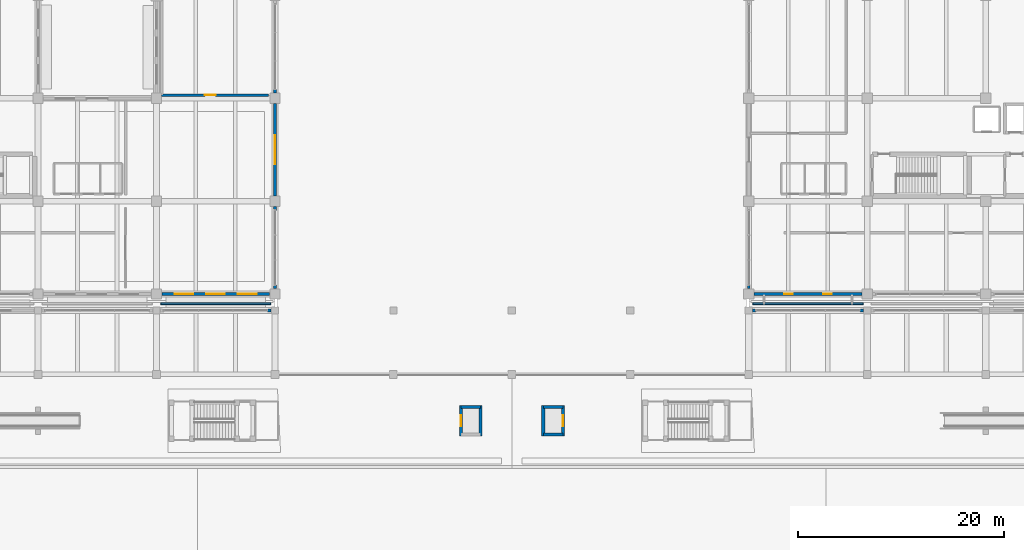
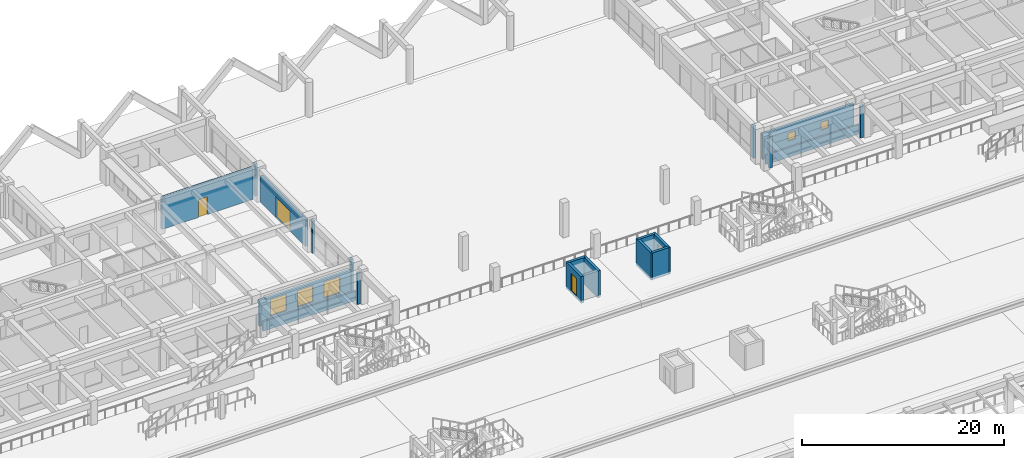
# One storey, part 86 of 109: 20 walls, 5 windows, 4 doors, 9 openings.
"""IFC4 building model written with IfcOpenShell, lengths in metres."""

from ifc_helpers import new_model, si_unit, direction, frame, frame_2d, origin, place, context, subcontext, project, spatial, rectangle, extrude, material, layer, layer_set, type_object, element, fill, save


model = new_model("IFC4")

# Units and contexts
model_context = context("Model", 3, precision=1e-05, world=origin(), true_north=direction((0.0, 1.0)))
body_context = subcontext(model_context, "Body", "Model", "MODEL_VIEW")
ifc_project = project(units=[si_unit("LENGTHUNIT", "METRE"), si_unit("AREAUNIT", "SQUARE_METRE"), si_unit("VOLUMEUNIT", "CUBIC_METRE"), si_unit("PLANEANGLEUNIT", "RADIAN"), si_unit("MASSUNIT", "GRAM", prefix="KILO")], contexts=[model_context])

# Site, building, storey
site_placement = place(None, origin())
site = spatial("IfcSite", under=ifc_project, at=site_placement, CompositionType="ELEMENT")
building_placement = place(site_placement, origin())
building = spatial("IfcBuilding", under=site, at=building_placement, Name="Ologun Quay Terminus", CompositionType="ELEMENT")
storey_placement = place(building_placement, origin())
storey = spatial("IfcBuildingStorey", under=building, at=storey_placement, Name="L00", CompositionType="ELEMENT", Elevation=0.0)

# Walls
ifc_material_1 = material(Name="Concrete C40/50", Category="concrete")
ifc_layer_1 = layer(ifc_material_1, 0.280029296875)
ifc_layer_set_1 = layer_set([ifc_layer_1], Name="Concrete C40/50")
wall_type_1 = type_object("IfcWallType", Name="Courtyard Wing Spandrel Concrete Wall 280", PredefinedType="SOLIDWALL", material=ifc_layer_set_1)
for number, where, z_axis, x_axis, name in (
    (1, (68.280029296875, 84.199951171875, 0.0), (0.0, 0.0, 1.0), (1.0, 0.0, 0.0), "Curtain Wall Jamb Pier CW-L00-085-J2"),
    (2, (115.3701171875, 84.199951171875, 0.0), (0.0, 0.0, 1.0), (1.0, 0.0, 0.0), "Curtain Wall Jamb Pier CW-L00-086-J1"),
    (3, (125.780029296875, 84.199951171875, 0.0), (0.0, 0.0, 1.0), (1.0, 0.0, 0.0), "Curtain Wall Jamb Pier CW-L00-086-J2"),
):
    element("IfcWall", number, at=place(storey_placement, frame(where, z_axis=z_axis, x_axis=x_axis)), inside=storey, type_object=wall_type_1, Name=name, PredefinedType="SOLIDWALL", context=body_context, shape_type="SweptSolid", body=[
        extrude(rectangle(XDim=0.349853515625, YDim=0.280029296875, at=frame_2d((0.1748046875, 0.0))), origin(), (0.0, 0.0, 1.0), 3.85009765625),
    ])

# Wall, openings, windows
wall_1_placement = place(storey_placement, frame((58.02001953125, 85.800048828125, 0.0), z_axis=(0.0, 0.0, 1.0), x_axis=(1.0, 0.0, 0.0)))
wall_1 = element("IfcWall", 4, at=wall_1_placement, inside=storey, type_object=wall_type_1, Name="EW-02 Facade Wall WEW-WW-O-L00-6", PredefinedType="SOLIDWALL", context=body_context, shape_type="SweptSolid", body=[
    extrude(rectangle(XDim=10.4599609375, YDim=0.280029296875, at=frame_2d((5.22998046875, 0.0))), origin(), (0.0, 0.0, 1.0), 3.14990234375),
])
opening_1_placement = place(wall_1_placement, frame((1.264892578125, 0.0, 0.85009765625)))
opening_1 = element("IfcOpeningElement", 5, at=opening_1_placement, cuts=wall_1, Name="Opening WN-163", PredefinedType="OPENING", context=body_context, shape_type="SweptSolid", body=[
    extrude(rectangle(XDim=1.800048828125, YDim=1.949951171875, at=frame_2d((0.89990234375, 0.97509765625))), frame((0.0, 0.14990234375, 0.0), z_axis=(0.0, -1.0, 0.0), x_axis=(1.0, 0.0, 0.0)), (0.0, 0.0, 1.0), 0.300048828125),
])
opening_2_placement = place(wall_1_placement, frame((4.330078125, 0.0, 0.85009765625)))
opening_2 = element("IfcOpeningElement", 6, at=opening_2_placement, cuts=wall_1, Name="Opening WN-164", PredefinedType="OPENING", context=body_context, shape_type="SweptSolid", body=[
    extrude(rectangle(XDim=1.800048828125, YDim=1.949951171875, at=frame_2d((0.89990234375, 0.97509765625))), frame((0.0, 0.14990234375, 0.0), z_axis=(0.0, -1.0, 0.0), x_axis=(1.0, 0.0, 0.0)), (0.0, 0.0, 1.0), 0.300048828125),
])
opening_3_placement = place(wall_1_placement, frame((7.39501953125, 0.0, 0.85009765625)))
opening_3 = element("IfcOpeningElement", 7, at=opening_3_placement, cuts=wall_1, Name="Opening WN-165", PredefinedType="OPENING", context=body_context, shape_type="SweptSolid", body=[
    extrude(rectangle(XDim=1.800048828125, YDim=1.949951171875, at=frame_2d((0.89990234375, 0.97509765625))), frame((0.0, 0.14990234375, 0.0), z_axis=(0.0, -1.0, 0.0), x_axis=(1.0, 0.0, 0.0)), (0.0, 0.0, 1.0), 0.300048828125),
])
ifc_material_2 = material(Name="Glass", Category="glass")
window_type_1 = type_object("IfcWindowType", Name="Waterfront Pavilion Module Window 1800x1950", PartitioningType="SINGLE_PANEL", PredefinedType="WINDOW", material=ifc_material_2)
window_1_placement = place(opening_1_placement, origin())
window_1 = element("IfcWindow", 8, at=window_1_placement, inside=storey, type_object=window_type_1, Name="W-11 Window WN-163", OverallHeight=1.949951171875, OverallWidth=1.800048828125, PartitioningType="SINGLE_PANEL", PredefinedType="WINDOW", context=body_context, shape_type="SweptSolid", body=[
    extrude(rectangle(XDim=1.800048828125, YDim=1.949951171875, at=frame_2d((0.89990234375, 0.97509765625))), frame((0.0, 0.030029296875, 0.0), z_axis=(0.0, -1.0, 0.0), x_axis=(1.0, 0.0, 0.0)), (0.0, 0.0, 1.0), 0.06005859375),
])
fill(opening_1, window_1)
window_2_placement = place(opening_2_placement, origin())
window_2 = element("IfcWindow", 9, at=window_2_placement, inside=storey, type_object=window_type_1, Name="W-11 Window WN-164", OverallHeight=1.949951171875, OverallWidth=1.800048828125, PartitioningType="SINGLE_PANEL", PredefinedType="WINDOW", context=body_context, shape_type="SweptSolid", body=[
    extrude(rectangle(XDim=1.800048828125, YDim=1.949951171875, at=frame_2d((0.89990234375, 0.97509765625))), frame((0.0, 0.030029296875, 0.0), z_axis=(0.0, -1.0, 0.0), x_axis=(1.0, 0.0, 0.0)), (0.0, 0.0, 1.0), 0.06005859375),
])
fill(opening_2, window_2)
window_3_placement = place(opening_3_placement, origin())
window_3 = element("IfcWindow", 10, at=window_3_placement, inside=storey, type_object=window_type_1, Name="W-11 Window WN-165", OverallHeight=1.949951171875, OverallWidth=1.800048828125, PartitioningType="SINGLE_PANEL", PredefinedType="WINDOW", context=body_context, shape_type="SweptSolid", body=[
    extrude(rectangle(XDim=1.800048828125, YDim=1.949951171875, at=frame_2d((0.89990234375, 0.97509765625))), frame((0.0, 0.030029296875, 0.0), z_axis=(0.0, -1.0, 0.0), x_axis=(1.0, 0.0, 0.0)), (0.0, 0.0, 1.0), 0.06005859375),
])
fill(opening_3, window_3)

# Walls
wall_2_placement = place(storey_placement, frame((69.0, 86.320068359375, 0.0), z_axis=(0.0, 0.0, 1.0), x_axis=(0.0, 1.0, 0.0)))
element("IfcWall", 11, at=wall_2_placement, inside=storey, type_object=wall_type_1, Name="Curtain Wall Jamb Pier CW-L00-094-J1", PredefinedType="SOLIDWALL", context=body_context, shape_type="SweptSolid", body=[
    extrude(rectangle(XDim=0.349853515625, YDim=0.280029296875, at=frame_2d((0.1748046875, 0.0))), origin(), (0.0, 0.0, 1.0), 3.929931640625),
])
wall_3_placement = place(storey_placement, frame((69.0, 93.929931640625, 0.0), z_axis=(0.0, 0.0, 1.0), x_axis=(0.0, 1.0, 0.0)))
element("IfcWall", 12, at=wall_3_placement, inside=storey, type_object=wall_type_1, Name="Curtain Wall Jamb Pier CW-L00-094-J2", PredefinedType="SOLIDWALL", context=body_context, shape_type="SweptSolid", body=[
    extrude(rectangle(XDim=0.35009765625, YDim=0.280029296875, at=frame_2d((0.175048828125, 0.0))), origin(), (0.0, 0.0, 1.0), 3.929931640625),
])
wall_4_placement = place(storey_placement, frame((69.0, 105.320068359375, 0.0), z_axis=(0.0, 0.0, 1.0), x_axis=(0.0, 1.0, 0.0)))
element("IfcWall", 13, at=wall_4_placement, inside=storey, type_object=wall_type_1, Name="Curtain Wall Jamb Pier CW-L00-095-J1", PredefinedType="SOLIDWALL", context=body_context, shape_type="SweptSolid", body=[
    extrude(rectangle(XDim=0.349853515625, YDim=0.280029296875, at=frame_2d((0.1748046875, 0.0))), origin(), (0.0, 0.0, 1.0), 3.929931640625),
])

# Wall, openings, windows
wall_5_placement = place(storey_placement, frame((115.52001953125, 85.800048828125, 0.0), z_axis=(0.0, 0.0, 1.0), x_axis=(1.0, 0.0, 0.0)))
wall_5 = element("IfcWall", 14, at=wall_5_placement, inside=storey, type_object=wall_type_1, Name="EW-02 Facade Wall WEW-EW-L00-1", PredefinedType="SOLIDWALL", context=body_context, shape_type="SweptSolid", body=[
    extrude(rectangle(XDim=10.4599609375, YDim=0.280029296875, at=frame_2d((5.22998046875, 0.0))), origin(), (0.0, 0.0, 1.0), 3.14990234375),
])
opening_4_placement = place(wall_5_placement, frame((2.919921875, 0.0, 1.25)))
opening_4 = element("IfcOpeningElement", 15, at=opening_4_placement, cuts=wall_5, Name="Opening WN-335", PredefinedType="OPENING", context=body_context, shape_type="SweptSolid", body=[
    extrude(rectangle(XDim=0.85009765625, YDim=0.949951171875, at=frame_2d((0.425048828125, 0.47509765625))), frame((0.0, 0.14990234375, 0.0), z_axis=(0.0, -1.0, 0.0), x_axis=(1.0, 0.0, 0.0)), (0.0, 0.0, 1.0), 0.300048828125),
])
opening_5_placement = place(wall_5_placement, frame((6.68994140625, 0.0, 1.25)))
opening_5 = element("IfcOpeningElement", 16, at=opening_5_placement, cuts=wall_5, Name="Opening WN-336", PredefinedType="OPENING", context=body_context, shape_type="SweptSolid", body=[
    extrude(rectangle(XDim=0.85009765625, YDim=0.949951171875, at=frame_2d((0.425048828125, 0.47509765625))), frame((0.0, 0.14990234375, 0.0), z_axis=(0.0, -1.0, 0.0), x_axis=(1.0, 0.0, 0.0)), (0.0, 0.0, 1.0), 0.300048828125),
])
ifc_material_3 = material(Name="Glass", Category="glass")
window_type_2 = type_object("IfcWindowType", Name="Sanitary Frosted Louvre Window 850x950", PartitioningType="SINGLE_PANEL", PredefinedType="WINDOW", material=ifc_material_3)
window_4_placement = place(opening_4_placement, origin())
window_4 = element("IfcWindow", 17, at=window_4_placement, inside=storey, type_object=window_type_2, Name="W-30 Window WN-335", OverallHeight=0.949951171875, OverallWidth=0.85009765625, PartitioningType="SINGLE_PANEL", PredefinedType="WINDOW", context=body_context, shape_type="SweptSolid", body=[
    extrude(rectangle(XDim=0.85009765625, YDim=0.949951171875, at=frame_2d((0.425048828125, 0.47509765625))), frame((0.0, 0.030029296875, 0.0), z_axis=(0.0, -1.0, 0.0), x_axis=(1.0, 0.0, 0.0)), (0.0, 0.0, 1.0), 0.06005859375),
])
fill(opening_4, window_4)
window_5_placement = place(opening_5_placement, origin())
window_5 = element("IfcWindow", 18, at=window_5_placement, inside=storey, type_object=window_type_2, Name="W-30 Window WN-336", OverallHeight=0.949951171875, OverallWidth=0.85009765625, PartitioningType="SINGLE_PANEL", PredefinedType="WINDOW", context=body_context, shape_type="SweptSolid", body=[
    extrude(rectangle(XDim=0.85009765625, YDim=0.949951171875, at=frame_2d((0.425048828125, 0.47509765625))), frame((0.0, 0.030029296875, 0.0), z_axis=(0.0, -1.0, 0.0), x_axis=(1.0, 0.0, 0.0)), (0.0, 0.0, 1.0), 0.06005859375),
])
fill(opening_5, window_5)

# Wall
wall_6_placement = place(storey_placement, frame((115.0, 86.320068359375, 0.0), z_axis=(0.0, 0.0, 1.0), x_axis=(0.0, 1.0, 0.0)))
element("IfcWall", 19, at=wall_6_placement, inside=storey, type_object=wall_type_1, Name="Curtain Wall Jamb Pier CW-L00-122-J1", PredefinedType="SOLIDWALL", context=body_context, shape_type="SweptSolid", body=[
    extrude(rectangle(XDim=0.349853515625, YDim=0.280029296875, at=frame_2d((0.1748046875, 0.0))), origin(), (0.0, 0.0, 1.0), 3.929931640625),
])

# Wall, opening, door
ifc_material_4 = material(Name="Concrete C40/50", Category="concrete")
ifc_layer_2 = layer(ifc_material_4, 0.239990234375)
ifc_layer_set_2 = layer_set([ifc_layer_2], Name="Concrete C40/50")
wall_type_2 = type_object("IfcWallType", Name="Fire Compartment Blockwork Wall 240", PredefinedType="SOLIDWALL", material=ifc_layer_set_2)
wall_7_placement = place(storey_placement, frame((58.0, 105.10009765625, 0.0), z_axis=(0.0, 0.0, 1.0), x_axis=(1.0, 0.0, 0.0)))
wall_7 = element("IfcWall", 20, at=wall_7_placement, inside=storey, type_object=wall_type_2, Name="PW-01 Partition L00-FCR-S", PredefinedType="SOLIDWALL", context=body_context, shape_type="SweptSolid", body=[
    extrude(rectangle(XDim=10.39990234375, YDim=0.239990234375, at=frame_2d((5.199951171875, 0.0))), origin(), (0.0, 0.0, 1.0), 3.8798828125),
])
opening_6_placement = place(wall_7_placement, frame((4.199951171875, 0.0, 0.0)))
opening_6 = element("IfcOpeningElement", 21, at=opening_6_placement, cuts=wall_7, Name="Opening ID-298", PredefinedType="OPENING", context=body_context, shape_type="SweptSolid", body=[
    extrude(rectangle(XDim=1.050048828125, YDim=2.14990234375, at=frame_2d((0.52490234375, 1.074951171875))), frame((0.0, 0.1298828125, 0.0), z_axis=(0.0, -1.0, 0.0), x_axis=(1.0, 0.0, 0.0)), (0.0, 0.0, 1.0), 0.260009765625),
])
ifc_material_5 = material(Name="Steel S355", Category="steel")
door_type_1 = type_object("IfcDoorType", Name="Fire Command Room Door 1050x2150", OperationType="SINGLE_SWING_RIGHT", PredefinedType="DOOR", material=ifc_material_5)
door_1_placement = place(opening_6_placement, origin())
door_1 = element("IfcDoor", 22, at=door_1_placement, inside=storey, type_object=door_type_1, Name="FD-06 Door ID-298", OperationType="SINGLE_SWING_RIGHT", OverallHeight=2.14990234375, OverallWidth=1.050048828125, PredefinedType="DOOR", context=body_context, shape_type="SweptSolid", body=[
    extrude(rectangle(XDim=1.050048828125, YDim=2.14990234375, at=frame_2d((0.52490234375, 1.074951171875))), frame((0.0, 0.02490234375, 0.0), z_axis=(0.0, -1.0, 0.0), x_axis=(1.0, 0.0, 0.0)), (0.0, 0.0, 1.0), 0.050048828125),
])
fill(opening_6, door_1)

# Wall
ifc_material_6 = material(Name="Concrete C40/50", Category="concrete")
ifc_layer_3 = layer(ifc_material_6, 0.300048828125)
ifc_layer_set_3 = layer_set([ifc_layer_3], Name="Concrete C40/50")
wall_type_3 = type_object("IfcWallType", Name="Lift Shaft Structural Shear Wall 300", PredefinedType="SHEAR", material=ifc_layer_set_3)
wall_8_placement = place(storey_placement, frame((87.050048828125, 74.85009765625, 0.949951171875), z_axis=(0.0, 0.0, 1.0), x_axis=(1.0, 0.0, 0.0)))
element("IfcWall", 23, at=wall_8_placement, inside=storey, type_object=wall_type_3, Name="Lift PL-P3 Shaft Wall N L00", PredefinedType="SHEAR", context=body_context, shape_type="SweptSolid", body=[
    extrude(rectangle(XDim=1.89990234375, YDim=0.300048828125, at=frame_2d((0.949951171875, 0.0))), origin(), (0.0, 0.0, 1.0), 3.25),
])

# Wall, opening, door
wall_9_placement = place(storey_placement, frame((87.050048828125, 72.0, 0.949951171875), z_axis=(0.0, 0.0, 1.0), x_axis=(0.0, 1.0, 0.0)))
wall_9 = element("IfcWall", 24, at=wall_9_placement, inside=storey, type_object=wall_type_3, Name="Lift PL-P3 Shaft Wall W L00", PredefinedType="SHEAR", context=body_context, shape_type="SweptSolid", body=[
    extrude(rectangle(XDim=3.0, YDim=0.300048828125, at=frame_2d((1.5, 0.0))), origin(), (0.0, 0.0, 1.0), 3.25),
])
opening_7_placement = place(wall_9_placement, frame((0.949951171875, 0.0, 0.300048828125)))
opening_7 = element("IfcOpeningElement", 25, at=opening_7_placement, cuts=wall_9, Name="Opening ID-062", PredefinedType="OPENING", context=body_context, shape_type="SweptSolid", body=[
    extrude(rectangle(XDim=1.10009765625, YDim=2.14990234375, at=frame_2d((0.550048828125, 1.074951171875))), frame((0.0, 0.16015625, 0.0), z_axis=(0.0, -1.0, 0.0), x_axis=(1.0, 0.0, 0.0)), (0.0, 0.0, 1.0), 0.320068359375),
])
ifc_material_7 = material(Name="Steel S355", Category="steel")
door_type_2 = type_object("IfcDoorType", Name="Lift Landing Sliding Door 1100x2150", OperationType="SLIDING_TO_LEFT", PredefinedType="DOOR", material=ifc_material_7)
door_2_placement = place(opening_7_placement, origin())
door_2 = element("IfcDoor", 26, at=door_2_placement, inside=storey, type_object=door_type_2, Name="LD-01 Door ID-062", OperationType="SLIDING_TO_LEFT", OverallHeight=2.14990234375, OverallWidth=1.10009765625, PredefinedType="DOOR", context=body_context, shape_type="SweptSolid", body=[
    extrude(rectangle(XDim=1.10009765625, YDim=2.14990234375, at=frame_2d((0.550048828125, 1.074951171875))), frame((0.0, 0.02490234375, 0.0), z_axis=(0.0, -1.0, 0.0), x_axis=(1.0, 0.0, 0.0)), (0.0, 0.0, 1.0), 0.050048828125),
])
fill(opening_7, door_2)

# Walls
wall_10_placement = place(storey_placement, frame((88.949951171875, 72.0, 0.949951171875), z_axis=(0.0, 0.0, 1.0), x_axis=(0.0, 1.0, 0.0)))
element("IfcWall", 27, at=wall_10_placement, inside=storey, type_object=wall_type_3, Name="Lift PL-P3 Shaft Wall E L00", PredefinedType="SHEAR", context=body_context, shape_type="SweptSolid", body=[
    extrude(rectangle(XDim=3.0, YDim=0.300048828125, at=frame_2d((1.5, 0.0))), origin(), (0.0, 0.0, 1.0), 3.25),
])
for number, where, z_axis, x_axis, name in (
    (28, (95.050048828125, 72.14990234375, 0.949951171875), (0.0, 0.0, 1.0), (1.0, 0.0, 0.0), "Lift PL-P4 Shaft Wall S L00"),
    (29, (95.050048828125, 74.85009765625, 0.949951171875), (0.0, 0.0, 1.0), (1.0, 0.0, 0.0), "Lift PL-P4 Shaft Wall N L00"),
):
    element("IfcWall", number, at=place(storey_placement, frame(where, z_axis=z_axis, x_axis=x_axis)), inside=storey, type_object=wall_type_3, Name=name, PredefinedType="SHEAR", context=body_context, shape_type="SweptSolid", body=[
        extrude(rectangle(XDim=1.89990234375, YDim=0.300048828125, at=frame_2d((0.949951171875, 0.0))), origin(), (0.0, 0.0, 1.0), 3.25),
    ])
wall_11_placement = place(storey_placement, frame((95.050048828125, 72.0, 0.949951171875), z_axis=(0.0, 0.0, 1.0), x_axis=(0.0, 1.0, 0.0)))
element("IfcWall", 30, at=wall_11_placement, inside=storey, type_object=wall_type_3, Name="Lift PL-P4 Shaft Wall W L00", PredefinedType="SHEAR", context=body_context, shape_type="SweptSolid", body=[
    extrude(rectangle(XDim=3.0, YDim=0.300048828125, at=frame_2d((1.5, 0.0))), origin(), (0.0, 0.0, 1.0), 3.25),
])

# Wall, opening, door
wall_12_placement = place(storey_placement, frame((96.949951171875, 72.0, 0.949951171875), z_axis=(0.0, 0.0, 1.0), x_axis=(0.0, 1.0, 0.0)))
wall_12 = element("IfcWall", 31, at=wall_12_placement, inside=storey, type_object=wall_type_3, Name="Lift PL-P4 Shaft Wall E L00", PredefinedType="SHEAR", context=body_context, shape_type="SweptSolid", body=[
    extrude(rectangle(XDim=3.0, YDim=0.300048828125, at=frame_2d((1.5, 0.0))), origin(), (0.0, 0.0, 1.0), 3.25),
])
opening_8_placement = place(wall_12_placement, frame((0.949951171875, 0.0, 0.300048828125)))
opening_8 = element("IfcOpeningElement", 32, at=opening_8_placement, cuts=wall_12, Name="Opening ID-064", PredefinedType="OPENING", context=body_context, shape_type="SweptSolid", body=[
    extrude(rectangle(XDim=1.10009765625, YDim=2.14990234375, at=frame_2d((0.550048828125, 1.074951171875))), frame((0.0, 0.16015625, 0.0), z_axis=(0.0, -1.0, 0.0), x_axis=(1.0, 0.0, 0.0)), (0.0, 0.0, 1.0), 0.320068359375),
])
door_3_placement = place(opening_8_placement, origin())
door_3 = element("IfcDoor", 33, at=door_3_placement, inside=storey, type_object=door_type_2, Name="LD-01 Door ID-064", OperationType="SLIDING_TO_LEFT", OverallHeight=2.14990234375, OverallWidth=1.10009765625, PredefinedType="DOOR", context=body_context, shape_type="SweptSolid", body=[
    extrude(rectangle(XDim=1.10009765625, YDim=2.14990234375, at=frame_2d((0.550048828125, 1.074951171875))), frame((0.0, 0.02490234375, 0.0), z_axis=(0.0, -1.0, 0.0), x_axis=(1.0, 0.0, 0.0)), (0.0, 0.0, 1.0), 0.050048828125),
])
fill(opening_8, door_3)

# Walls
ifc_material_8 = material(Name="Concrete C40/50", Category="concrete")
ifc_layer_4 = layer(ifc_material_8, 0.18994140625)
ifc_layer_set_4 = layer_set([ifc_layer_4], Name="Concrete C40/50")
wall_type_4 = type_object("IfcWallType", Name="Movement Joint Weathering Upstand 190", PredefinedType="PARAPET", material=ifc_layer_set_4)
for number, where, z_axis, x_axis, name in (
    (34, (57.89990234375, 84.860107421875, 0.0), (0.0, 0.0, 1.0), (1.0, 0.0, 0.0), "EW-07 Movement Joint Upstand L00-6"),
    (35, (115.39990234375, 84.860107421875, 0.0), (0.0, 0.0, 1.0), (1.0, 0.0, 0.0), "EW-07 Movement Joint Upstand L00-11"),
):
    element("IfcWall", number, at=place(storey_placement, frame(where, z_axis=z_axis, x_axis=x_axis)), inside=storey, type_object=wall_type_4, Name=name, PredefinedType="PARAPET", context=body_context, shape_type="SweptSolid", body=[
        extrude(rectangle(XDim=10.7001953125, YDim=0.18994140625, at=frame_2d((5.35009765625, 0.0))), origin(), (0.0, 0.0, 1.0), 1.14990234375),
    ])

# Wall, opening, door
ifc_material_9 = material(Name="Concrete C40/50", Category="concrete")
ifc_layer_5 = layer(ifc_material_9, 0.320068359375)
ifc_layer_set_5 = layer_set([ifc_layer_5], Name="Concrete C40/50")
wall_type_5 = type_object("IfcWallType", Name="Podium Sculpted Concrete Facade Wall 320", PredefinedType="SOLIDWALL", material=ifc_layer_set_5)
wall_13_placement = place(storey_placement, frame((69.0, 95.320068359375, 0.0), z_axis=(0.0, 0.0, 1.0), x_axis=(0.0, 1.0, 0.0)))
wall_13 = element("IfcWall", 36, at=wall_13_placement, inside=storey, type_object=wall_type_5, Name="EW-01 Facade Wall WEW-WW-L00-8", PredefinedType="SOLIDWALL", context=body_context, shape_type="SweptSolid", body=[
    extrude(rectangle(XDim=8.9599609375, YDim=0.320068359375, at=frame_2d((4.47998046875, 0.0))), origin(), (0.0, 0.0, 1.0), 3.14990234375),
])
opening_9_placement = place(wall_13_placement, frame((3.080078125, 0.0, 0.0)))
opening_9 = element("IfcOpeningElement", 37, at=opening_9_placement, cuts=wall_13, Name="Opening ED-012", PredefinedType="OPENING", context=body_context, shape_type="SweptSolid", body=[
    extrude(rectangle(XDim=2.800048828125, YDim=2.449951171875, at=frame_2d((1.39990234375, 1.22509765625))), frame((0.0, 0.169921875, 0.0), z_axis=(0.0, -1.0, 0.0), x_axis=(1.0, 0.0, 0.0)), (0.0, 0.0, 1.0), 0.340087890625),
])
ifc_material_10 = material(Name="Glass", Category="glass")
door_type_3 = type_object("IfcDoorType", Name="Quay Cafe Bi-Parting Sliding Door 2800x2450", OperationType="SLIDING_TO_LEFT", PredefinedType="DOOR", material=ifc_material_10)
door_4_placement = place(opening_9_placement, origin())
door_4 = element("IfcDoor", 38, at=door_4_placement, inside=storey, type_object=door_type_3, Name="D-09 Exterior Door ED-012", OperationType="SLIDING_TO_LEFT", OverallHeight=2.449951171875, OverallWidth=2.800048828125, PredefinedType="DOOR", context=body_context, shape_type="SweptSolid", body=[
    extrude(rectangle(XDim=2.800048828125, YDim=2.449951171875, at=frame_2d((1.39990234375, 1.22509765625))), frame((0.0, 0.02490234375, 0.0), z_axis=(0.0, -1.0, 0.0), x_axis=(1.0, 0.0, 0.0)), (0.0, 0.0, 1.0), 0.050048828125),
])
fill(opening_9, door_4)

save(model, "model.ifc")
